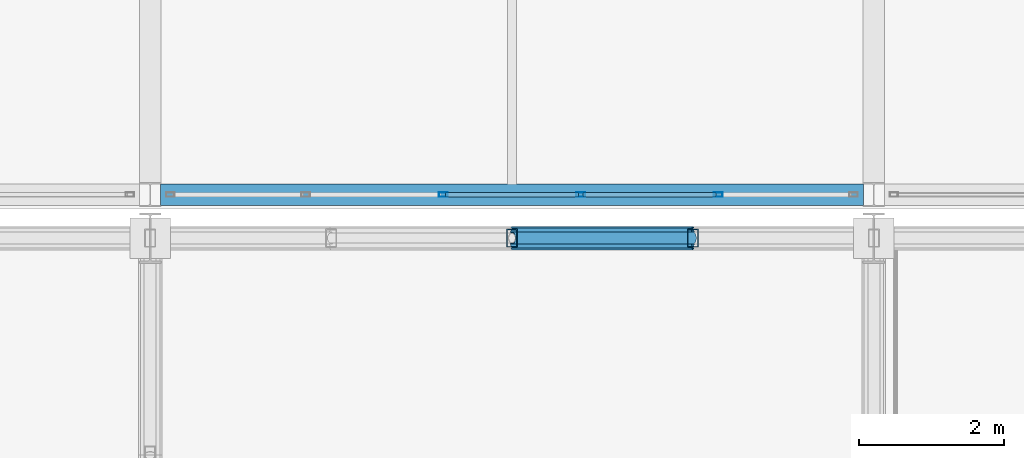
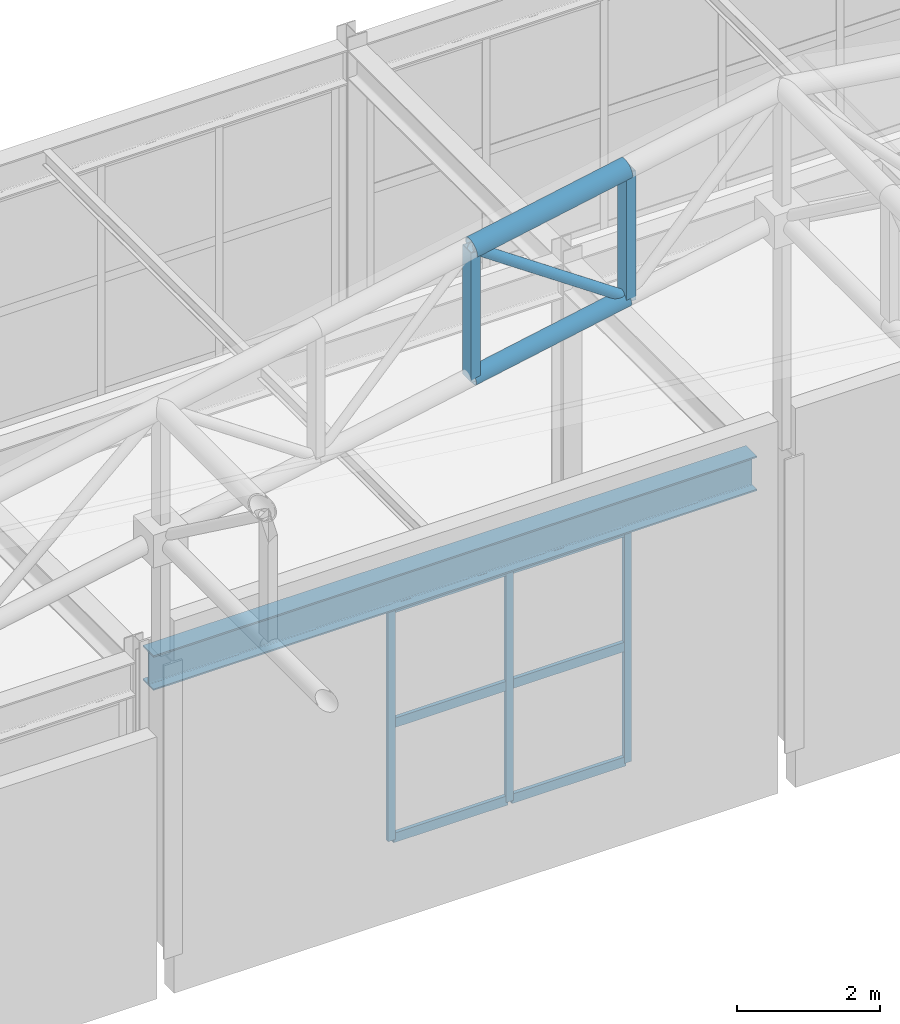
# One storey, part 69 of 112: 14 members, 1 beam, 1 element without a shape of its own.
"""IFC4 building model written with IfcOpenShell, lengths in metres."""

from ifc_helpers import new_model, si_unit, direction, frame, origin, origin_2d, place, context, subcontext, project, spatial, hollow_rectangle, hollow_circle, i_section, extrude, material, material_profile, profile_set, type_object, element, aggregate, save


model = new_model("IFC4")

# Units and contexts
model_context = context("Model", 3, precision=1e-05, world=origin(), true_north=direction((0.0, 1.0)))
body_context = subcontext(model_context, "Body", "Model", "MODEL_VIEW")
ifc_project = project(units=[si_unit("LENGTHUNIT", "METRE"), si_unit("AREAUNIT", "SQUARE_METRE"), si_unit("VOLUMEUNIT", "CUBIC_METRE"), si_unit("PLANEANGLEUNIT", "RADIAN"), si_unit("MASSUNIT", "GRAM", prefix="KILO")], contexts=[model_context])

# Site, building, storey
site_placement = place(None, origin())
site = spatial("IfcSite", under=ifc_project, at=site_placement, CompositionType="ELEMENT")
building_placement = place(site_placement, origin())
building = spatial("IfcBuilding", under=site, at=building_placement, Name="Kaldris Quays Convention Centre", CompositionType="ELEMENT")
storey_placement = place(building_placement, frame((0.0, 0.0, 16.800048828125)))
storey = spatial("IfcBuildingStorey", under=building, at=storey_placement, Name="L03", CompositionType="ELEMENT", Elevation=16.800048828125)

# Curtain wall, members
ifc_material_1 = material(Name="Anodized aluminium AW-6060 and triple glazing", Category="aluminium")
curtain_wall_type = type_object("IfcCurtainWallType", Name="UNITISED CURTAIN WALL CW06", PredefinedType="NOTDEFINED", material=ifc_material_1)
curtain_wall_placement = place(storey_placement, origin())
curtain_wall = element("IfcCurtainWall", 1, at=curtain_wall_placement, inside=storey, type_object=curtain_wall_type, Name="L03 Unitised Curtain Wall CW06 176", PredefinedType="NOTDEFINED")
ifc_material_2 = material(Name="Anodized aluminium AW-6060", Category="aluminium")
ifc_material_profile_1 = material_profile(ifc_material_2, hollow_rectangle(XDim=0.06005859375, YDim=0.1201171875, WallThickness=0.00390625, at=origin_2d()), Name="RHS 120x60x4")
ifc_profile_set_1 = profile_set([ifc_material_profile_1], Name="Anodized aluminium AW-6060")
member_type_1 = type_object("IfcMemberType", Name="CURTAIN MULLION CWM3", PredefinedType="MULLION", material=ifc_profile_set_1)
member_1_placement = place(storey_placement, frame((178.050048828125, 104.60009765625, 0.0), z_axis=(0.0, 0.0, 1.0), x_axis=(0.0, 1.0, 0.0)))
member_1 = element("IfcMember", 2, at=member_1_placement, type_object=member_type_1, Name="CW06 mullion 3", PredefinedType="MULLION", context=body_context, shape_type="SweptSolid", body=[
    extrude(hollow_rectangle(XDim=0.06005859375, YDim=0.1201171875, WallThickness=0.00390625, at=origin_2d()), origin(), (0.0, 0.0, 1.0), 3.967041015625),
])
member_2_placement = place(storey_placement, frame((179.949951171875, 104.60009765625, 0.0), z_axis=(0.0, 0.0, 1.0), x_axis=(0.0, 1.0, 0.0)))
member_2 = element("IfcMember", 3, at=member_2_placement, type_object=member_type_1, Name="CW06 mullion 4", PredefinedType="MULLION", context=body_context, shape_type="SweptSolid", body=[
    extrude(hollow_rectangle(XDim=0.06005859375, YDim=0.1201171875, WallThickness=0.00390625, at=origin_2d()), origin(), (0.0, 0.0, 1.0), 3.967041015625),
])
member_3_placement = place(storey_placement, frame((181.85009765625, 104.60009765625, 0.0), z_axis=(0.0, 0.0, 1.0), x_axis=(0.0, 1.0, 0.0)))
member_3 = element("IfcMember", 4, at=member_3_placement, type_object=member_type_1, Name="CW06 mullion 5", PredefinedType="MULLION", context=body_context, shape_type="SweptSolid", body=[
    extrude(hollow_rectangle(XDim=0.06005859375, YDim=0.1201171875, WallThickness=0.00390625, at=origin_2d()), origin(), (0.0, 0.0, 1.0), 3.967041015625),
])
ifc_material_profile_2 = material_profile(ifc_material_2, hollow_rectangle(XDim=0.06005859375, YDim=0.159912109375, WallThickness=0.00390625, at=origin_2d()), Name="RHS 160x60x4")
ifc_profile_set_2 = profile_set([ifc_material_profile_2], Name="Anodized aluminium AW-6060")
member_type_2 = type_object("IfcMemberType", Name="CURTAIN TRANSOM CWT2", PredefinedType="USERDEFINED", material=ifc_profile_set_2)
member_4_placement = place(storey_placement, frame((178.080078125, 104.60009765625, 0.030029296875), z_axis=(1.0, 0.0, 0.0), x_axis=(0.0, 1.0, 0.0)))
member_4 = element("IfcMember", 5, at=member_4_placement, type_object=member_type_2, Name="CW06 transom 3.1", ObjectType="TRANSOM", PredefinedType="USERDEFINED", context=body_context, shape_type="SweptSolid", body=[
    extrude(hollow_rectangle(XDim=0.06005859375, YDim=0.159912109375, WallThickness=0.00390625, at=origin_2d()), origin(), (0.0, 0.0, 1.0), 1.83984375),
])
member_5_placement = place(storey_placement, frame((178.080078125, 104.60009765625, 1.98388671875), z_axis=(1.0, 0.0, 0.0), x_axis=(0.0, 1.0, 0.0)))
member_5 = element("IfcMember", 6, at=member_5_placement, type_object=member_type_2, Name="CW06 transom 3.2", ObjectType="TRANSOM", PredefinedType="USERDEFINED", context=body_context, shape_type="SweptSolid", body=[
    extrude(hollow_rectangle(XDim=0.06005859375, YDim=0.159912109375, WallThickness=0.00390625, at=origin_2d()), origin(), (0.0, 0.0, 1.0), 1.83984375),
])
member_6_placement = place(storey_placement, frame((178.080078125, 104.60009765625, 3.93701171875), z_axis=(1.0, 0.0, 0.0), x_axis=(0.0, 1.0, 0.0)))
member_6 = element("IfcMember", 7, at=member_6_placement, type_object=member_type_2, Name="CW06 transom 3.3", ObjectType="TRANSOM", PredefinedType="USERDEFINED", context=body_context, shape_type="SweptSolid", body=[
    extrude(hollow_rectangle(XDim=0.06005859375, YDim=0.159912109375, WallThickness=0.00390625, at=origin_2d()), origin(), (0.0, 0.0, 1.0), 1.83984375),
])
member_7_placement = place(storey_placement, frame((179.97998046875, 104.60009765625, 0.030029296875), z_axis=(1.0, 0.0, 0.0), x_axis=(0.0, 1.0, 0.0)))
member_7 = element("IfcMember", 8, at=member_7_placement, type_object=member_type_2, Name="CW06 transom 4.1", ObjectType="TRANSOM", PredefinedType="USERDEFINED", context=body_context, shape_type="SweptSolid", body=[
    extrude(hollow_rectangle(XDim=0.06005859375, YDim=0.159912109375, WallThickness=0.00390625, at=origin_2d()), origin(), (0.0, 0.0, 1.0), 1.840087890625),
])
member_8_placement = place(storey_placement, frame((179.97998046875, 104.60009765625, 1.98388671875), z_axis=(1.0, 0.0, 0.0), x_axis=(0.0, 1.0, 0.0)))
member_8 = element("IfcMember", 9, at=member_8_placement, type_object=member_type_2, Name="CW06 transom 4.2", ObjectType="TRANSOM", PredefinedType="USERDEFINED", context=body_context, shape_type="SweptSolid", body=[
    extrude(hollow_rectangle(XDim=0.06005859375, YDim=0.159912109375, WallThickness=0.00390625, at=origin_2d()), origin(), (0.0, 0.0, 1.0), 1.840087890625),
])
member_9_placement = place(storey_placement, frame((179.97998046875, 104.60009765625, 3.93701171875), z_axis=(1.0, 0.0, 0.0), x_axis=(0.0, 1.0, 0.0)))
member_9 = element("IfcMember", 10, at=member_9_placement, type_object=member_type_2, Name="CW06 transom 4.3", ObjectType="TRANSOM", PredefinedType="USERDEFINED", context=body_context, shape_type="SweptSolid", body=[
    extrude(hollow_rectangle(XDim=0.06005859375, YDim=0.159912109375, WallThickness=0.00390625, at=origin_2d()), origin(), (0.0, 0.0, 1.0), 1.840087890625),
])
aggregate(curtain_wall, [member_1, member_2, member_3, member_4, member_5, member_6, member_7, member_8, member_9])

# Beam
ifc_material_3 = material(Name="Steel S355J2", Category="steel")
ifc_material_profile_3 = material_profile(ifc_material_3, i_section(OverallWidth=0.300048828125, OverallDepth=0.590087890625, WebThickness=0.012939453125, FlangeThickness=0.02490234375, FilletRadius=0.027099609375, at=origin_2d()), Name="HEA 600")
ifc_profile_set_3 = profile_set([ifc_material_profile_3], Name="Steel S355J2")
beam_type = type_object("IfcBeamType", Name="STRUCTURAL BEAM BM08", PredefinedType="BEAM", material=ifc_profile_set_3)
beam_placement = place(storey_placement, frame((174.14404296875, 104.60009765625, 4.286865234375), z_axis=(1.0, 0.0, 0.0), x_axis=(0.0, 1.0, 0.0)))
element("IfcBeam", 11, at=beam_placement, inside=storey, type_object=beam_type, Name="L03 Girder BM08 44", PredefinedType="BEAM", context=body_context, shape_type="SweptSolid", body=[
    extrude(i_section(OverallWidth=0.300048828125, OverallDepth=0.590087890625, WebThickness=0.012939453125, FlangeThickness=0.02490234375, FilletRadius=0.027099609375, at=origin_2d()), origin(), (0.0, 0.0, 1.0), 9.7119140625),
])

# Members
ifc_material_4 = material(Name="Steel S355J2H", Category="steel")
ifc_material_profile_4 = material_profile(ifc_material_4, hollow_circle(Radius=0.161865234375, WallThickness=0.01611328125, at=origin_2d()), Name="CHS 323.9x16")
ifc_profile_set_4 = profile_set([ifc_material_profile_4], Name="Steel S355J2H")
member_type_3 = type_object("IfcMemberType", Name="STRUCTURAL MEMBER SC03", PredefinedType="CHORD", material=ifc_profile_set_4)
member_10_placement = place(storey_placement, frame((179.0, 104.0, 10.108154296875), z_axis=(0.981903710383, 0.0, 0.189380842579), x_axis=(0.0, 1.0, 0.0)))
element("IfcMember", 12, at=member_10_placement, inside=storey, type_object=member_type_3, Name="SF-V2 Top Chord X 66", PredefinedType="CHORD", context=body_context, shape_type="SweptSolid", body=[
    extrude(hollow_circle(Radius=0.161865234375, WallThickness=0.01611328125, at=origin_2d()), origin(), (0.0, 0.0, 1.0), 2.546142578125),
])
ifc_material_profile_5 = material_profile(ifc_material_4, hollow_circle(Radius=0.136474609375, WallThickness=0.012451171875, at=origin_2d()), Name="CHS 273x12.5")
ifc_profile_set_5 = profile_set([ifc_material_profile_5], Name="Steel S355J2H")
member_type_4 = type_object("IfcMemberType", Name="STRUCTURAL MEMBER SC04", PredefinedType="CHORD", material=ifc_profile_set_5)
member_11_placement = place(storey_placement, frame((179.0, 104.0, 7.908203125), z_axis=(0.981903710383, 0.0, 0.189380842579), x_axis=(0.0, 1.0, 0.0)))
element("IfcMember", 13, at=member_11_placement, inside=storey, type_object=member_type_4, Name="SF-V2 Bottom Chord X 66", PredefinedType="CHORD", context=body_context, shape_type="SweptSolid", body=[
    extrude(hollow_circle(Radius=0.136474609375, WallThickness=0.012451171875, at=origin_2d()), origin(), (0.0, 0.0, 1.0), 2.546142578125),
])
ifc_material_profile_6 = material_profile(ifc_material_4, hollow_circle(Radius=0.084228515625, WallThickness=0.008056640625, at=origin_2d()), Name="CHS 168.3x8")
ifc_profile_set_6 = profile_set([ifc_material_profile_6], Name="Steel S355J2H")
member_type_5 = type_object("IfcMemberType", Name="STRUCTURAL MEMBER SWB2", PredefinedType="BRACE", material=ifc_profile_set_6)
member_12_placement = place(storey_placement, frame((181.5, 104.0, 8.390380859375), z_axis=(-0.8241921955, 0.0, 0.56631018433), x_axis=(0.0, -1.0, 0.0)))
element("IfcMember", 14, at=member_12_placement, inside=storey, type_object=member_type_5, Name="SF-V2 Web Diagonal X 66", PredefinedType="BRACE", context=body_context, shape_type="SweptSolid", body=[
    extrude(hollow_circle(Radius=0.084228515625, WallThickness=0.008056640625, at=origin_2d()), origin(), (0.0, 0.0, 1.0), 3.033203125),
])
ifc_material_profile_7 = material_profile(ifc_material_4, hollow_rectangle(XDim=0.14990234375, YDim=0.25, WallThickness=0.010009765625, at=origin_2d()), Name="RHS 250x150x10")
ifc_profile_set_7 = profile_set([ifc_material_profile_7], Name="Steel S355J2H")
member_type_6 = type_object("IfcMemberType", Name="STRUCTURAL MEMBER TTV1", PredefinedType="POST", material=ifc_profile_set_7)
for number, where, z_axis, x_axis, name in (
    (15, (179.0, 104.0, 7.908203125), (0.0, 0.0, 1.0), (1.0, 0.0, 0.0), "SF-V2 Space-Frame Post 54"),
    (16, (181.5, 104.0, 8.390380859375), (0.0, 0.0, 1.0), (1.0, 0.0, 0.0), "SF-V2 Space-Frame Post 59"),
):
    element("IfcMember", number, at=place(storey_placement, frame(where, z_axis=z_axis, x_axis=x_axis)), inside=storey, type_object=member_type_6, Name=name, PredefinedType="POST", context=body_context, shape_type="SweptSolid", body=[
        extrude(hollow_rectangle(XDim=0.14990234375, YDim=0.25, WallThickness=0.010009765625, at=origin_2d()), origin(), (0.0, 0.0, 1.0), 2.199951171875),
    ])

save(model, "model.ifc")
